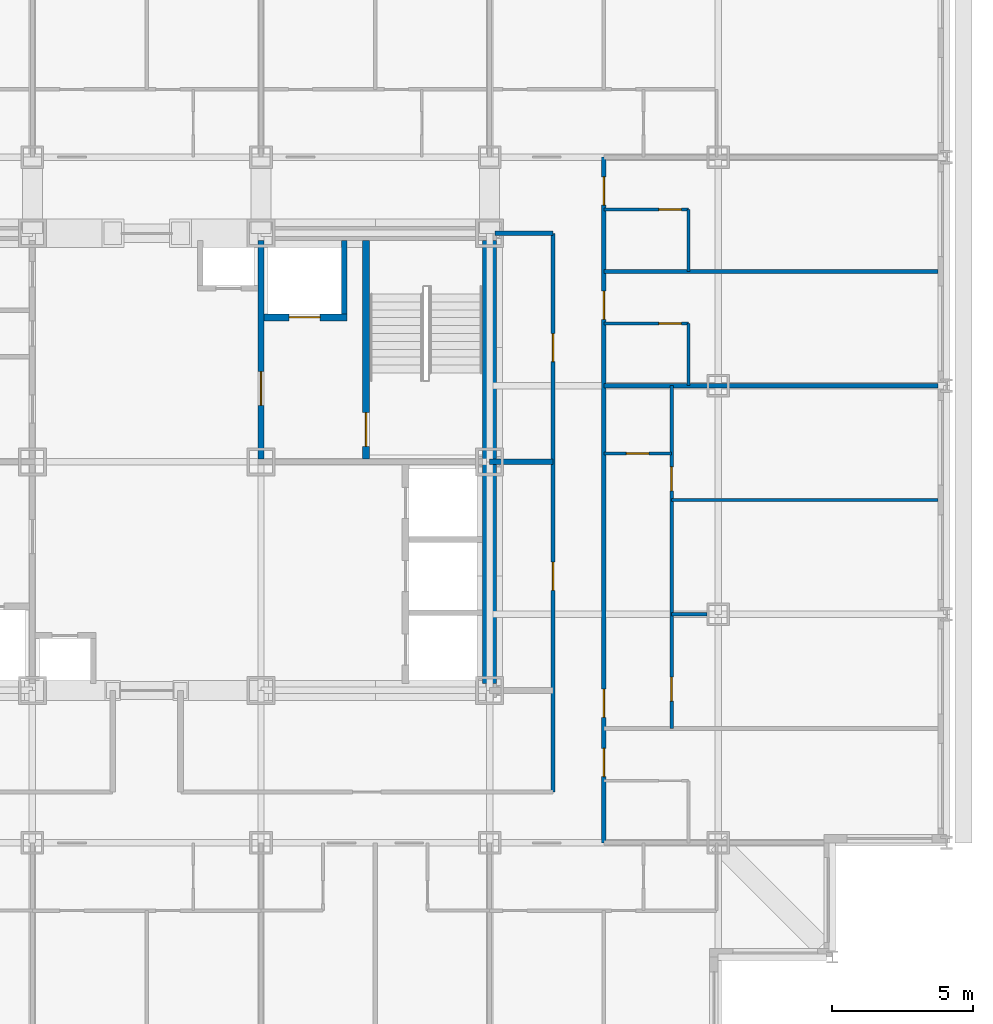
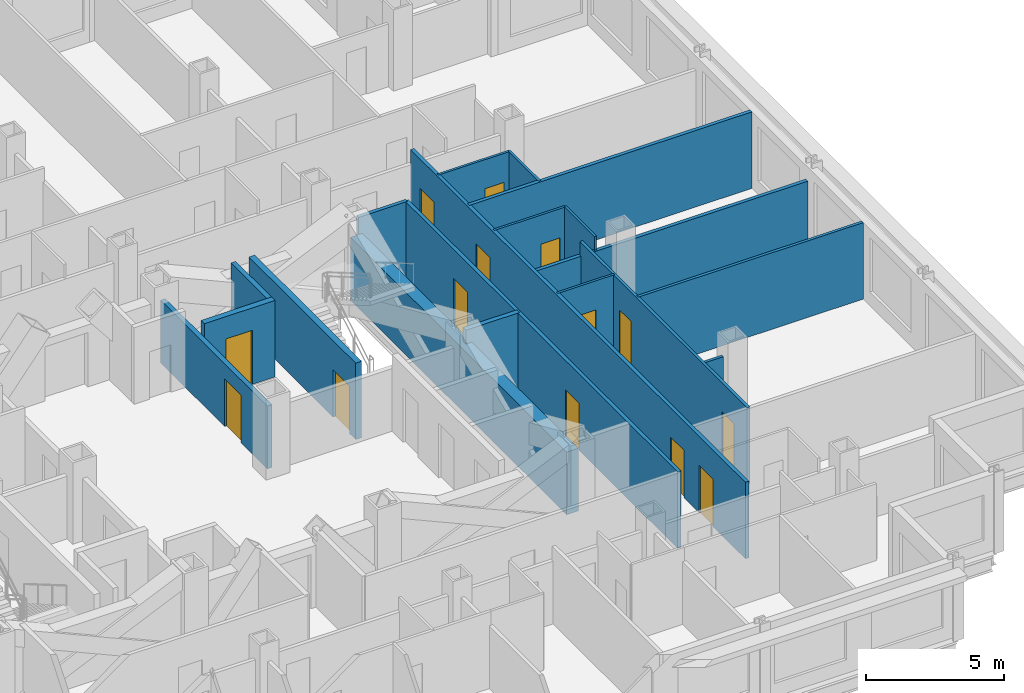
# One storey, part 8 of 12: 19 walls, 14 doors, 14 openings.
"""IFC4 building model written with IfcOpenShell, lengths in metres."""

from ifc_helpers import new_model, si_unit, direction, frame, frame_2d, origin, place, context, subcontext, project, spatial, rectangle, extrude, material, layer, layer_set, type_object, element, fill, save


model = new_model("IFC4")

# Units and contexts
model_context = context("Model", 3, precision=1e-05, world=origin(), true_north=direction((0.0, 1.0)))
body_context = subcontext(model_context, "Body", "Model", "MODEL_VIEW")
ifc_project = project(units=[si_unit("LENGTHUNIT", "METRE"), si_unit("AREAUNIT", "SQUARE_METRE"), si_unit("VOLUMEUNIT", "CUBIC_METRE"), si_unit("PLANEANGLEUNIT", "RADIAN"), si_unit("MASSUNIT", "GRAM", prefix="KILO")], contexts=[model_context])

# Site, building, storey
site_placement = place(None, origin())
site = spatial("IfcSite", under=ifc_project, at=site_placement, CompositionType="ELEMENT")
building_placement = place(site_placement, origin())
building = spatial("IfcBuilding", under=site, at=building_placement, Name="Kopane Lantern Tower", CompositionType="ELEMENT")
storey_placement = place(building_placement, frame((0.0, 0.0, 177.60009765625)))
storey = spatial("IfcBuildingStorey", under=building, at=storey_placement, Name="L45", CompositionType="ELEMENT", Elevation=177.60009765625)

# Wall, openings, doors
ifc_material_1 = material(Name="Gypsum board on steel studs", Category="steel")
ifc_layer_1 = layer(ifc_material_1, 0.1201171875)
ifc_layer_set_1 = layer_set([ifc_layer_1], Name="APARTMENT INTERNAL WALL 120")
wall_type_1 = type_object("IfcWallType", Name="APARTMENT INTERNAL WALL 120", PredefinedType="PARTITIONING", material=ifc_layer_set_1)
wall_1_placement = place(storey_placement, frame((46.949951171875, 22.949951171875, 0.0), z_axis=(0.0, 0.0, 1.0), x_axis=(0.0, 1.0, 0.0)))
wall_1 = element("IfcWall", 1, at=wall_1_placement, inside=storey, type_object=wall_type_1, Name="Apartment Internal Wall 120 L45", PredefinedType="PARTITIONING", context=body_context, shape_type="SweptSolid", body=[
    extrude(rectangle(XDim=12.150146484375, YDim=0.1201171875, at=frame_2d((6.0751953125, 0.0))), origin(), (0.0, 0.0, 1.0), 3.389892578125),
])
opening_1_placement = place(wall_1_placement, frame((0.97509765625, 0.0, 0.0)))
opening_1 = element("IfcOpeningElement", 2, at=opening_1_placement, cuts=wall_1, Name="Opening L45-048", PredefinedType="OPENING", context=body_context, shape_type="SweptSolid", body=[
    extrude(rectangle(XDim=0.85009765625, YDim=2.10009765625, at=frame_2d((0.425048828125, 1.050048828125))), frame((0.0, 0.070068359375, 0.0), z_axis=(0.0, -1.0, 0.0), x_axis=(1.0, 0.0, 0.0)), (0.0, 0.0, 1.0), 0.14013671875),
])
opening_2_placement = place(wall_1_placement, frame((8.425048828125, 0.0, 0.0)))
opening_2 = element("IfcOpeningElement", 3, at=opening_2_placement, cuts=wall_1, Name="Opening L45-049", PredefinedType="OPENING", context=body_context, shape_type="SweptSolid", body=[
    extrude(rectangle(XDim=0.85009765625, YDim=2.10009765625, at=frame_2d((0.425048828125, 1.050048828125))), frame((0.0, 0.070068359375, 0.0), z_axis=(0.0, -1.0, 0.0), x_axis=(1.0, 0.0, 0.0)), (0.0, 0.0, 1.0), 0.14013671875),
])
ifc_material_2 = material(Name="Timber door set", Category="wood")
door_type_1 = type_object("IfcDoorType", Name="DOOR D4 850x2100", OperationType="SINGLE_SWING_LEFT", PredefinedType="DOOR", material=ifc_material_2)
door_1_placement = place(opening_1_placement, origin())
door_1 = element("IfcDoor", 4, at=door_1_placement, inside=storey, type_object=door_type_1, Name="Door L45-048", OperationType="SINGLE_SWING_LEFT", OverallHeight=2.10009765625, OverallWidth=0.85009765625, PredefinedType="DOOR", context=body_context, shape_type="SweptSolid", body=[
    extrude(rectangle(XDim=0.85009765625, YDim=2.10009765625, at=frame_2d((0.425048828125, 1.050048828125))), frame((0.0, 0.02490234375, 0.0), z_axis=(0.0, -1.0, 0.0), x_axis=(1.0, 0.0, 0.0)), (0.0, 0.0, 1.0), 0.050048828125),
])
fill(opening_1, door_1)
door_2_placement = place(opening_2_placement, origin())
door_2 = element("IfcDoor", 5, at=door_2_placement, inside=storey, type_object=door_type_1, Name="Door L45-049", OperationType="SINGLE_SWING_RIGHT", OverallHeight=2.10009765625, OverallWidth=0.85009765625, PredefinedType="DOOR", context=body_context, shape_type="SweptSolid", body=[
    extrude(rectangle(XDim=0.85009765625, YDim=2.10009765625, at=frame_2d((0.425048828125, 1.050048828125))), frame((0.0, 0.02490234375, 0.0), z_axis=(0.0, -1.0, 0.0), x_axis=(1.0, 0.0, 0.0)), (0.0, 0.0, 1.0), 0.050048828125),
])
fill(opening_2, door_2)

# Walls
wall_2_placement = place(storey_placement, frame((46.949951171875, 31.050048828125, 0.0), z_axis=(0.0, 0.0, 1.0), x_axis=(1.0, 0.0, 0.0)))
element("IfcWall", 6, at=wall_2_placement, inside=storey, type_object=wall_type_1, Name="Apartment Internal Wall 120 L45", PredefinedType="PARTITIONING", context=body_context, shape_type="SweptSolid", body=[
    extrude(rectangle(XDim=9.449951171875, YDim=0.1201171875, at=frame_2d((4.72509765625, 0.0))), origin(), (0.0, 0.0, 1.0), 3.389892578125),
])
wall_3_placement = place(storey_placement, frame((46.949951171875, 27.0, 0.0), z_axis=(0.0, 0.0, 1.0), x_axis=(1.0, 0.0, 0.0)))
element("IfcWall", 7, at=wall_3_placement, inside=storey, type_object=wall_type_1, Name="Apartment Internal Wall 120 L45", PredefinedType="PARTITIONING", context=body_context, shape_type="SweptSolid", body=[
    extrude(rectangle(XDim=1.25, YDim=0.1201171875, at=frame_2d((0.625, 0.0))), origin(), (0.0, 0.0, 1.0), 2.777587890625),
])

# Wall, opening, door
ifc_material_3 = material(Name="Moisture-resistant board on steel studs", Category="steel")
ifc_layer_2 = layer(ifc_material_3, 0.10009765625)
ifc_layer_set_2 = layer_set([ifc_layer_2], Name="BATHROOM WALL 100")
wall_type_2 = type_object("IfcWallType", Name="BATHROOM WALL 100", PredefinedType="PARTITIONING", material=ifc_layer_set_2)
wall_4_placement = place(storey_placement, frame((44.550048828125, 32.699951171875, 0.0), z_axis=(0.0, 0.0, 1.0), x_axis=(1.0, 0.0, 0.0)))
wall_4 = element("IfcWall", 8, at=wall_4_placement, inside=storey, type_object=wall_type_2, Name="Bathroom Wall 100 L45", PredefinedType="PARTITIONING", context=body_context, shape_type="SweptSolid", body=[
    extrude(rectangle(XDim=2.39990234375, YDim=0.10009765625, at=frame_2d((1.199951171875, 0.0))), origin(), (0.0, 0.0, 1.0), 3.389892578125),
])
opening_3_placement = place(wall_4_placement, frame((0.800048828125, 0.0, 0.0)))
opening_3 = element("IfcOpeningElement", 9, at=opening_3_placement, cuts=wall_4, Name="Opening L45-046", PredefinedType="OPENING", context=body_context, shape_type="SweptSolid", body=[
    extrude(rectangle(XDim=0.800048828125, YDim=2.10009765625, at=frame_2d((0.39990234375, 1.050048828125))), frame((0.0, 0.06005859375, 0.0), z_axis=(0.0, -1.0, 0.0), x_axis=(1.0, 0.0, 0.0)), (0.0, 0.0, 1.0), 0.1201171875),
])
ifc_material_4 = material(Name="Timber door set", Category="wood")
door_type_2 = type_object("IfcDoorType", Name="DOOR D2 800x2100", OperationType="SINGLE_SWING_LEFT", PredefinedType="DOOR", material=ifc_material_4)
door_3_placement = place(opening_3_placement, origin())
door_3 = element("IfcDoor", 10, at=door_3_placement, inside=storey, type_object=door_type_2, Name="Door L45-046", OperationType="SINGLE_SWING_LEFT", OverallHeight=2.10009765625, OverallWidth=0.800048828125, PredefinedType="DOOR", context=body_context, shape_type="SweptSolid", body=[
    extrude(rectangle(XDim=0.800048828125, YDim=2.10009765625, at=frame_2d((0.39990234375, 1.050048828125))), frame((0.0, 0.02490234375, 0.0), z_axis=(0.0, -1.0, 0.0), x_axis=(1.0, 0.0, 0.0)), (0.0, 0.0, 1.0), 0.050048828125),
])
fill(opening_3, door_3)

# Wall
wall_5_placement = place(storey_placement, frame((47.550048828125, 35.10009765625, 0.0), z_axis=(0.0, 0.0, 1.0), x_axis=(0.0, 1.0, 0.0)))
element("IfcWall", 11, at=wall_5_placement, inside=storey, type_object=wall_type_2, Name="Bathroom Wall 100 L45", PredefinedType="PARTITIONING", context=body_context, shape_type="SweptSolid", body=[
    extrude(rectangle(XDim=2.199951171875, YDim=0.10009765625, at=frame_2d((1.10009765625, 0.0))), origin(), (0.0, 0.0, 1.0), 3.389892578125),
])

# Wall, opening, door
wall_6_placement = place(storey_placement, frame((44.550048828125, 37.300048828125, 0.0), z_axis=(0.0, 0.0, 1.0), x_axis=(1.0, 0.0, 0.0)))
wall_6 = element("IfcWall", 12, at=wall_6_placement, inside=storey, type_object=wall_type_2, Name="Bathroom Wall 100 L45", PredefinedType="PARTITIONING", context=body_context, shape_type="SweptSolid", body=[
    extrude(rectangle(XDim=3.0, YDim=0.10009765625, at=frame_2d((1.5, 0.0))), origin(), (0.0, 0.0, 1.0), 3.389892578125),
])
opening_4_placement = place(wall_6_placement, frame((1.949951171875, 0.0, 0.0)))
opening_4 = element("IfcOpeningElement", 13, at=opening_4_placement, cuts=wall_6, Name="Opening L45-050", PredefinedType="OPENING", context=body_context, shape_type="SweptSolid", body=[
    extrude(rectangle(XDim=0.800048828125, YDim=2.10009765625, at=frame_2d((0.39990234375, 1.050048828125))), frame((0.0, 0.06005859375, 0.0), z_axis=(0.0, -1.0, 0.0), x_axis=(1.0, 0.0, 0.0)), (0.0, 0.0, 1.0), 0.1201171875),
])
door_4_placement = place(opening_4_placement, origin())
door_4 = element("IfcDoor", 14, at=door_4_placement, inside=storey, type_object=door_type_2, Name="Door L45-050", OperationType="SINGLE_SWING_LEFT", OverallHeight=2.10009765625, OverallWidth=0.800048828125, PredefinedType="DOOR", context=body_context, shape_type="SweptSolid", body=[
    extrude(rectangle(XDim=0.800048828125, YDim=2.10009765625, at=frame_2d((0.39990234375, 1.050048828125))), frame((0.0, 0.02490234375, 0.0), z_axis=(0.0, -1.0, 0.0), x_axis=(1.0, 0.0, 0.0)), (0.0, 0.0, 1.0), 0.050048828125),
])
fill(opening_4, door_4)

# Wall
wall_7_placement = place(storey_placement, frame((47.550048828125, 39.14990234375, 0.0), z_axis=(0.0, 0.0, 1.0), x_axis=(0.0, 1.0, 0.0)))
element("IfcWall", 15, at=wall_7_placement, inside=storey, type_object=wall_type_2, Name="Bathroom Wall 100 L45", PredefinedType="PARTITIONING", context=body_context, shape_type="SweptSolid", body=[
    extrude(rectangle(XDim=2.2001953125, YDim=0.10009765625, at=frame_2d((1.10009765625, 0.0))), origin(), (0.0, 0.0, 1.0), 3.389892578125),
])

# Wall, opening, door
wall_8_placement = place(storey_placement, frame((44.550048828125, 41.35009765625, 0.0), z_axis=(0.0, 0.0, 1.0), x_axis=(1.0, 0.0, 0.0)))
wall_8 = element("IfcWall", 16, at=wall_8_placement, inside=storey, type_object=wall_type_2, Name="Bathroom Wall 100 L45", PredefinedType="PARTITIONING", context=body_context, shape_type="SweptSolid", body=[
    extrude(rectangle(XDim=3.0, YDim=0.10009765625, at=frame_2d((1.5, 0.0))), origin(), (0.0, 0.0, 1.0), 3.389892578125),
])
opening_5_placement = place(wall_8_placement, frame((1.949951171875, 0.0, 0.0)))
opening_5 = element("IfcOpeningElement", 17, at=opening_5_placement, cuts=wall_8, Name="Opening L45-052", PredefinedType="OPENING", context=body_context, shape_type="SweptSolid", body=[
    extrude(rectangle(XDim=0.800048828125, YDim=2.10009765625, at=frame_2d((0.39990234375, 1.050048828125))), frame((0.0, 0.06005859375, 0.0), z_axis=(0.0, -1.0, 0.0), x_axis=(1.0, 0.0, 0.0)), (0.0, 0.0, 1.0), 0.1201171875),
])
door_5_placement = place(opening_5_placement, origin())
door_5 = element("IfcDoor", 18, at=door_5_placement, inside=storey, type_object=door_type_2, Name="Door L45-052", OperationType="SINGLE_SWING_LEFT", OverallHeight=2.10009765625, OverallWidth=0.800048828125, PredefinedType="DOOR", context=body_context, shape_type="SweptSolid", body=[
    extrude(rectangle(XDim=0.800048828125, YDim=2.10009765625, at=frame_2d((0.39990234375, 1.050048828125))), frame((0.0, 0.02490234375, 0.0), z_axis=(0.0, -1.0, 0.0), x_axis=(1.0, 0.0, 0.0)), (0.0, 0.0, 1.0), 0.050048828125),
])
fill(opening_5, door_5)

# Wall
ifc_material_5 = material(Name="Gypsum shaft wall EI 120", Category="gypsum")
ifc_layer_3 = layer(ifc_material_5, 0.5)
ifc_layer_set_3 = layer_set([ifc_layer_3], Name="CORE PERIMETER WALL 500 EI 120")
wall_type_3 = type_object("IfcWallType", Name="CORE PERIMETER WALL 500 EI 120", PredefinedType="SOLIDWALL", material=ifc_layer_set_3)
wall_9_placement = place(storey_placement, frame((40.5, 24.550048828125, 0.0), z_axis=(0.0, 0.0, 1.0), x_axis=(0.0, 1.0, 0.0)))
element("IfcWall", 19, at=wall_9_placement, inside=storey, type_object=wall_type_3, Name="Core shaft wall L45 PE", PredefinedType="SOLIDWALL", context=body_context, shape_type="SweptSolid", body=[
    extrude(rectangle(XDim=15.699951171875, YDim=0.5, at=frame_2d((7.85009765625, 0.0))), origin(), (0.0, 0.0, 1.0), 2.777587890625),
])

# Wall, opening, door
ifc_material_6 = material(Name="Gypsum shaft wall EI 120", Category="gypsum")
ifc_layer_4 = layer(ifc_material_6, 0.25)
ifc_layer_set_4 = layer_set([ifc_layer_4], Name="CORE SHAFT WALL 250 EI 120")
wall_type_4 = type_object("IfcWallType", Name="CORE SHAFT WALL 250 EI 120", PredefinedType="SOLIDWALL", material=ifc_layer_set_4)
wall_10_placement = place(storey_placement, frame((36.125, 32.5, 0.0), z_axis=(0.0, 0.0, 1.0), x_axis=(0.0, 1.0, 0.0)))
wall_10 = element("IfcWall", 20, at=wall_10_placement, inside=storey, type_object=wall_type_4, Name="Core shaft wall L45 XST2", PredefinedType="SOLIDWALL", context=body_context, shape_type="SweptSolid", body=[
    extrude(rectangle(XDim=7.75, YDim=0.25, at=frame_2d((3.875, 0.0))), origin(), (0.0, 0.0, 1.0), 3.389892578125),
])
opening_6_placement = place(wall_10_placement, frame((0.449951171875, 0.0, 0.0)))
opening_6 = element("IfcOpeningElement", 21, at=opening_6_placement, cuts=wall_10, Name="Opening 45.SD2", PredefinedType="OPENING", context=body_context, shape_type="SweptSolid", body=[
    extrude(rectangle(XDim=1.199951171875, YDim=2.10009765625, at=frame_2d((0.60009765625, 1.050048828125))), frame((0.0, 0.135009765625, 0.0), z_axis=(0.0, -1.0, 0.0), x_axis=(1.0, 0.0, 0.0)), (0.0, 0.0, 1.0), 0.27001953125),
])
ifc_material_7 = material(Name="Steel door set", Category="steel")
door_type_3 = type_object("IfcDoorType", Name="STAIR DOOR 1200x2100 FD60S", OperationType="SINGLE_SWING_LEFT", PredefinedType="DOOR", material=ifc_material_7)
door_6_placement = place(opening_6_placement, origin())
door_6 = element("IfcDoor", 22, at=door_6_placement, inside=storey, type_object=door_type_3, Name="Stair door ST2 L45", OperationType="SINGLE_SWING_RIGHT", OverallHeight=2.10009765625, OverallWidth=1.199951171875, PredefinedType="DOOR", context=body_context, shape_type="SweptSolid", body=[
    extrude(rectangle(XDim=1.199951171875, YDim=2.10009765625, at=frame_2d((0.60009765625, 1.050048828125))), frame((0.0, 0.02490234375, 0.0), z_axis=(0.0, -1.0, 0.0), x_axis=(1.0, 0.0, 0.0)), (0.0, 0.0, 1.0), 0.050048828125),
])
fill(opening_6, door_6)

wall_11_placement = place(storey_placement, frame((32.5, 37.52490234375, 0.0), z_axis=(0.0, 0.0, 1.0), x_axis=(1.0, 0.0, 0.0)))
wall_11 = element("IfcWall", 23, at=wall_11_placement, inside=storey, type_object=wall_type_4, Name="Core shaft wall L45 YLF2", PredefinedType="SOLIDWALL", context=body_context, shape_type="SweptSolid", body=[
    extrude(rectangle(XDim=2.949951171875, YDim=0.25, at=frame_2d((1.47509765625, 0.0))), origin(), (0.0, 0.0, 1.0), 3.389892578125),
])
opening_7_placement = place(wall_11_placement, frame((0.89990234375, 0.0, 0.0)))
opening_7 = element("IfcOpeningElement", 24, at=opening_7_placement, cuts=wall_11, Name="Opening 45.LD-LF2", PredefinedType="OPENING", context=body_context, shape_type="SweptSolid", body=[
    extrude(rectangle(XDim=1.10009765625, YDim=2.39990234375, at=frame_2d((0.550048828125, 1.199951171875))), frame((0.0, 0.135009765625, 0.0), z_axis=(0.0, -1.0, 0.0), x_axis=(1.0, 0.0, 0.0)), (0.0, 0.0, 1.0), 0.27001953125),
])
ifc_material_8 = material(Name="Steel door set", Category="steel")
door_type_4 = type_object("IfcDoorType", Name="LIFT LANDING DOOR 1100x2400 FD60", OperationType="DOUBLE_DOOR_SLIDING", PredefinedType="DOOR", material=ifc_material_8)
door_7_placement = place(opening_7_placement, origin())
door_7 = element("IfcDoor", 25, at=door_7_placement, inside=storey, type_object=door_type_4, Name="Landing door LF2 L45", OperationType="DOUBLE_DOOR_SLIDING", OverallHeight=2.39990234375, OverallWidth=1.10009765625, PredefinedType="DOOR", context=body_context, shape_type="SweptSolid", body=[
    extrude(rectangle(XDim=1.10009765625, YDim=2.39990234375, at=frame_2d((0.550048828125, 1.199951171875))), frame((0.0, 0.02490234375, 0.0), z_axis=(0.0, -1.0, 0.0), x_axis=(1.0, 0.0, 0.0)), (0.0, 0.0, 1.0), 0.050048828125),
])
fill(opening_7, door_7)

# Wall, openings, doors
ifc_material_9 = material(Name="Gypsum board on steel studs", Category="steel")
ifc_layer_5 = layer(ifc_material_9, 0.14990234375)
ifc_layer_set_5 = layer_set([ifc_layer_5], Name="CORRIDOR WALL 150 EI 60")
wall_type_5 = type_object("IfcWallType", Name="CORRIDOR WALL 150 EI 60", PredefinedType="PARTITIONING", material=ifc_layer_set_5)
wall_12_placement = place(storey_placement, frame((44.550048828125, 18.89990234375, 0.0), z_axis=(0.0, 0.0, 1.0), x_axis=(0.0, 1.0, 0.0)))
wall_12 = element("IfcWall", 26, at=wall_12_placement, inside=storey, type_object=wall_type_5, Name="Corridor Wall 150 Ei 60 L45", PredefinedType="PARTITIONING", context=body_context, shape_type="SweptSolid", body=[
    extrude(rectangle(XDim=24.300048828125, YDim=0.14990234375, at=frame_2d((12.14990234375, 0.0))), origin(), (0.0, 0.0, 1.0), 3.389892578125),
])
opening_8_placement = place(wall_12_placement, frame((2.35009765625, 0.0, 0.0)))
opening_8 = element("IfcOpeningElement", 27, at=opening_8_placement, cuts=wall_12, Name="Opening L45-045", PredefinedType="OPENING", context=body_context, shape_type="SweptSolid", body=[
    extrude(rectangle(XDim=1.0, YDim=2.10009765625, at=frame_2d((0.5, 1.050048828125))), frame((0.0, 0.0849609375, 0.0), z_axis=(0.0, -1.0, 0.0), x_axis=(1.0, 0.0, 0.0)), (0.0, 0.0, 1.0), 0.169921875),
])
opening_9_placement = place(wall_12_placement, frame((4.449951171875, 0.0, 0.0)))
opening_9 = element("IfcOpeningElement", 28, at=opening_9_placement, cuts=wall_12, Name="Opening L45-047", PredefinedType="OPENING", context=body_context, shape_type="SweptSolid", body=[
    extrude(rectangle(XDim=1.0, YDim=2.10009765625, at=frame_2d((0.5, 1.050048828125))), frame((0.0, 0.0849609375, 0.0), z_axis=(0.0, -1.0, 0.0), x_axis=(1.0, 0.0, 0.0)), (0.0, 0.0, 1.0), 0.169921875),
])
opening_10_placement = place(wall_12_placement, frame((18.550048828125, 0.0, 0.0)))
opening_10 = element("IfcOpeningElement", 29, at=opening_10_placement, cuts=wall_12, Name="Opening L45-051", PredefinedType="OPENING", context=body_context, shape_type="SweptSolid", body=[
    extrude(rectangle(XDim=1.0, YDim=2.10009765625, at=frame_2d((0.5, 1.050048828125))), frame((0.0, 0.0849609375, 0.0), z_axis=(0.0, -1.0, 0.0), x_axis=(1.0, 0.0, 0.0)), (0.0, 0.0, 1.0), 0.169921875),
])
opening_11_placement = place(wall_12_placement, frame((22.60009765625, 0.0, 0.0)))
opening_11 = element("IfcOpeningElement", 30, at=opening_11_placement, cuts=wall_12, Name="Opening L45-053", PredefinedType="OPENING", context=body_context, shape_type="SweptSolid", body=[
    extrude(rectangle(XDim=1.0, YDim=2.10009765625, at=frame_2d((0.5, 1.050048828125))), frame((0.0, 0.0849609375, 0.0), z_axis=(0.0, -1.0, 0.0), x_axis=(1.0, 0.0, 0.0)), (0.0, 0.0, 1.0), 0.169921875),
])
ifc_material_10 = material(Name="Steel door set", Category="steel")
door_type_5 = type_object("IfcDoorType", Name="DOOR D3 1000x2100 FD30S", OperationType="SINGLE_SWING_LEFT", PredefinedType="DOOR", material=ifc_material_10)
door_8_placement = place(opening_8_placement, origin())
door_8 = element("IfcDoor", 31, at=door_8_placement, inside=storey, type_object=door_type_5, Name="Door L45-045", OperationType="SINGLE_SWING_RIGHT", OverallHeight=2.10009765625, OverallWidth=1.0, PredefinedType="DOOR", context=body_context, shape_type="SweptSolid", body=[
    extrude(rectangle(XDim=1.0, YDim=2.10009765625, at=frame_2d((0.5, 1.050048828125))), frame((0.0, 0.02490234375, 0.0), z_axis=(0.0, -1.0, 0.0), x_axis=(1.0, 0.0, 0.0)), (0.0, 0.0, 1.0), 0.050048828125),
])
fill(opening_8, door_8)
door_9_placement = place(opening_9_placement, origin())
door_9 = element("IfcDoor", 32, at=door_9_placement, inside=storey, type_object=door_type_5, Name="Door L45-047", OperationType="SINGLE_SWING_RIGHT", OverallHeight=2.10009765625, OverallWidth=1.0, PredefinedType="DOOR", context=body_context, shape_type="SweptSolid", body=[
    extrude(rectangle(XDim=1.0, YDim=2.10009765625, at=frame_2d((0.5, 1.050048828125))), frame((0.0, 0.02490234375, 0.0), z_axis=(0.0, -1.0, 0.0), x_axis=(1.0, 0.0, 0.0)), (0.0, 0.0, 1.0), 0.050048828125),
])
fill(opening_9, door_9)
door_10_placement = place(opening_10_placement, origin())
door_10 = element("IfcDoor", 33, at=door_10_placement, inside=storey, type_object=door_type_5, Name="Door L45-051", OperationType="SINGLE_SWING_RIGHT", OverallHeight=2.10009765625, OverallWidth=1.0, PredefinedType="DOOR", context=body_context, shape_type="SweptSolid", body=[
    extrude(rectangle(XDim=1.0, YDim=2.10009765625, at=frame_2d((0.5, 1.050048828125))), frame((0.0, 0.02490234375, 0.0), z_axis=(0.0, -1.0, 0.0), x_axis=(1.0, 0.0, 0.0)), (0.0, 0.0, 1.0), 0.050048828125),
])
fill(opening_10, door_10)
door_11_placement = place(opening_11_placement, origin())
door_11 = element("IfcDoor", 34, at=door_11_placement, inside=storey, type_object=door_type_5, Name="Door L45-053", OperationType="SINGLE_SWING_RIGHT", OverallHeight=2.10009765625, OverallWidth=1.0, PredefinedType="DOOR", context=body_context, shape_type="SweptSolid", body=[
    extrude(rectangle(XDim=1.0, YDim=2.10009765625, at=frame_2d((0.5, 1.050048828125))), frame((0.0, 0.02490234375, 0.0), z_axis=(0.0, -1.0, 0.0), x_axis=(1.0, 0.0, 0.0)), (0.0, 0.0, 1.0), 0.050048828125),
])
fill(opening_11, door_11)

wall_13_placement = place(storey_placement, frame((42.75, 20.699951171875, 0.0), z_axis=(0.0, 0.0, 1.0), x_axis=(0.0, 1.0, 0.0)))
wall_13 = element("IfcWall", 35, at=wall_13_placement, inside=storey, type_object=wall_type_5, Name="Corridor Wall 150 Ei 60 L45", PredefinedType="PARTITIONING", context=body_context, shape_type="SweptSolid", body=[
    extrude(rectangle(XDim=19.800048828125, YDim=0.14990234375, at=frame_2d((9.89990234375, 0.0))), origin(), (0.0, 0.0, 1.0), 3.389892578125),
])
opening_12_placement = place(wall_13_placement, frame((7.14990234375, 0.0, 0.0)))
opening_12 = element("IfcOpeningElement", 36, at=opening_12_placement, cuts=wall_13, Name="Opening L45-003", PredefinedType="OPENING", context=body_context, shape_type="SweptSolid", body=[
    extrude(rectangle(XDim=1.0, YDim=2.10009765625, at=frame_2d((0.5, 1.050048828125))), frame((0.0, 0.0849609375, 0.0), z_axis=(0.0, -1.0, 0.0), x_axis=(1.0, 0.0, 0.0)), (0.0, 0.0, 1.0), 0.169921875),
])
opening_13_placement = place(wall_13_placement, frame((15.25, 0.0, 0.0)))
opening_13 = element("IfcOpeningElement", 37, at=opening_13_placement, cuts=wall_13, Name="Opening L45-004", PredefinedType="OPENING", context=body_context, shape_type="SweptSolid", body=[
    extrude(rectangle(XDim=1.0, YDim=2.10009765625, at=frame_2d((0.5, 1.050048828125))), frame((0.0, 0.0849609375, 0.0), z_axis=(0.0, -1.0, 0.0), x_axis=(1.0, 0.0, 0.0)), (0.0, 0.0, 1.0), 0.169921875),
])
ifc_material_11 = material(Name="Steel door set", Category="steel")
door_type_6 = type_object("IfcDoorType", Name="DOOR D5 1000x2100 FD60", OperationType="SINGLE_SWING_LEFT", PredefinedType="DOOR", material=ifc_material_11)
door_12_placement = place(opening_12_placement, origin())
door_12 = element("IfcDoor", 38, at=door_12_placement, inside=storey, type_object=door_type_6, Name="Door L45-003", OperationType="SINGLE_SWING_LEFT", OverallHeight=2.10009765625, OverallWidth=1.0, PredefinedType="DOOR", context=body_context, shape_type="SweptSolid", body=[
    extrude(rectangle(XDim=1.0, YDim=2.10009765625, at=frame_2d((0.5, 1.050048828125))), frame((0.0, 0.02490234375, 0.0), z_axis=(0.0, -1.0, 0.0), x_axis=(1.0, 0.0, 0.0)), (0.0, 0.0, 1.0), 0.050048828125),
])
fill(opening_12, door_12)
door_13_placement = place(opening_13_placement, origin())
door_13 = element("IfcDoor", 39, at=door_13_placement, inside=storey, type_object=door_type_6, Name="Door L45-004", OperationType="SINGLE_SWING_RIGHT", OverallHeight=2.10009765625, OverallWidth=1.0, PredefinedType="DOOR", context=body_context, shape_type="SweptSolid", body=[
    extrude(rectangle(XDim=1.0, YDim=2.10009765625, at=frame_2d((0.5, 1.050048828125))), frame((0.0, 0.02490234375, 0.0), z_axis=(0.0, -1.0, 0.0), x_axis=(1.0, 0.0, 0.0)), (0.0, 0.0, 1.0), 0.050048828125),
])
fill(opening_13, door_13)

# Walls
wall_14_placement = place(storey_placement, frame((42.75, 40.5, 0.0), z_axis=(0.0, 0.0, 1.0), x_axis=(-1.0, 0.0, 0.0)))
element("IfcWall", 40, at=wall_14_placement, inside=storey, type_object=wall_type_5, Name="Corridor Wall 150 Ei 60 L45", PredefinedType="PARTITIONING", context=body_context, shape_type="SweptSolid", body=[
    extrude(rectangle(XDim=2.050048828125, YDim=0.14990234375, at=frame_2d((1.02490234375, 0.0))), origin(), (0.0, 0.0, 1.0), 3.389892578125),
])
ifc_material_12 = material(Name="Gypsum board on steel studs", Category="steel")
ifc_layer_6 = layer(ifc_material_12, 0.14990234375)
ifc_layer_set_6 = layer_set([ifc_layer_6], Name="DEMISING WALL 150 EI 60")
wall_type_6 = type_object("IfcWallType", Name="DEMISING WALL 150 EI 60", PredefinedType="PARTITIONING", material=ifc_layer_set_6)
wall_15_placement = place(storey_placement, frame((44.550048828125, 35.10009765625, 0.0), z_axis=(0.0, 0.0, 1.0), x_axis=(1.0, 0.0, 0.0)))
element("IfcWall", 41, at=wall_15_placement, inside=storey, type_object=wall_type_6, Name="Demising Wall 150 Ei 60 L45", PredefinedType="PARTITIONING", context=body_context, shape_type="SweptSolid", body=[
    extrude(rectangle(XDim=11.849853515625, YDim=0.14990234375, at=frame_2d((5.9248046875, 0.0))), origin(), (0.0, 0.0, 1.0), 2.777587890625),
])
wall_16_placement = place(storey_placement, frame((44.550048828125, 39.14990234375, 0.0), z_axis=(0.0, 0.0, 1.0), x_axis=(1.0, 0.0, 0.0)))
element("IfcWall", 42, at=wall_16_placement, inside=storey, type_object=wall_type_6, Name="Demising Wall 150 Ei 60 L45", PredefinedType="PARTITIONING", context=body_context, shape_type="SweptSolid", body=[
    extrude(rectangle(XDim=11.849853515625, YDim=0.14990234375, at=frame_2d((5.9248046875, 0.0))), origin(), (0.0, 0.0, 1.0), 3.389892578125),
])
ifc_material_13 = material(Name="Concrete masonry", Category="masonry")
ifc_layer_7 = layer(ifc_material_13, 0.199951171875)
ifc_layer_set_7 = layer_set([ifc_layer_7], Name="PLANT ROOM WALL 200 EI 120")
wall_type_7 = type_object("IfcWallType", Name="PLANT ROOM WALL 200 EI 120", PredefinedType="SOLIDWALL", material=ifc_layer_set_7)
wall_17_placement = place(storey_placement, frame((40.5, 32.39990234375, 0.0), z_axis=(0.0, 0.0, 1.0), x_axis=(1.0, 0.0, 0.0)))
element("IfcWall", 43, at=wall_17_placement, inside=storey, type_object=wall_type_7, Name="Plant Room Wall 200 Ei 120 L45", PredefinedType="SOLIDWALL", context=body_context, shape_type="SweptSolid", body=[
    extrude(rectangle(XDim=2.25, YDim=0.199951171875, at=frame_2d((1.125, 0.0))), origin(), (0.0, 0.0, 1.0), 3.389892578125),
])

# Wall, opening, door
ifc_material_14 = material(Name="Gypsum shaft wall EI 120", Category="gypsum")
ifc_layer_8 = layer(ifc_material_14, 0.199951171875)
ifc_layer_set_8 = layer_set([ifc_layer_8], Name="SHAFT WALL 200 EI 120")
wall_type_8 = type_object("IfcWallType", Name="SHAFT WALL 200 EI 120", PredefinedType="SOLIDWALL", material=ifc_layer_set_8)
wall_18_placement = place(storey_placement, frame((32.39990234375, 32.5, 0.0), z_axis=(0.0, 0.0, 1.0), x_axis=(0.0, 1.0, 0.0)))
wall_18 = element("IfcWall", 44, at=wall_18_placement, inside=storey, type_object=wall_type_8, Name="Core shaft wall L45 X324", PredefinedType="SOLIDWALL", context=body_context, shape_type="SweptSolid", body=[
    extrude(rectangle(XDim=7.75, YDim=0.199951171875, at=frame_2d((3.875, 0.0))), origin(), (0.0, 0.0, 1.0), 2.777587890625),
])
opening_14_placement = place(wall_18_placement, frame((1.89990234375, 0.0, 0.0)))
opening_14 = element("IfcOpeningElement", 45, at=opening_14_placement, cuts=wall_18, Name="Opening 45.FL2", PredefinedType="OPENING", context=body_context, shape_type="SweptSolid", body=[
    extrude(rectangle(XDim=1.199951171875, YDim=2.10009765625, at=frame_2d((0.60009765625, 1.050048828125))), frame((0.0, 0.10986328125, 0.0), z_axis=(0.0, -1.0, 0.0), x_axis=(1.0, 0.0, 0.0)), (0.0, 0.0, 1.0), 0.219970703125),
])
ifc_material_15 = material(Name="Steel door set", Category="steel")
door_type_7 = type_object("IfcDoorType", Name="FIREFIGHTING LOBBY DOOR 1200x2100 FD60S", OperationType="SINGLE_SWING_RIGHT", PredefinedType="DOOR", material=ifc_material_15)
door_14_placement = place(opening_14_placement, origin())
door_14 = element("IfcDoor", 46, at=door_14_placement, inside=storey, type_object=door_type_7, Name="Firefighting lobby door FL2 L45", OperationType="SINGLE_SWING_LEFT", OverallHeight=2.10009765625, OverallWidth=1.199951171875, PredefinedType="DOOR", context=body_context, shape_type="SweptSolid", body=[
    extrude(rectangle(XDim=1.199951171875, YDim=2.10009765625, at=frame_2d((0.60009765625, 1.050048828125))), frame((0.0, 0.02490234375, 0.0), z_axis=(0.0, -1.0, 0.0), x_axis=(1.0, 0.0, 0.0)), (0.0, 0.0, 1.0), 0.050048828125),
])
fill(opening_14, door_14)

# Wall
wall_19_placement = place(storey_placement, frame((35.35009765625, 37.64990234375, 0.0), z_axis=(0.0, 0.0, 1.0), x_axis=(0.0, 1.0, 0.0)))
element("IfcWall", 47, at=wall_19_placement, inside=storey, type_object=wall_type_8, Name="Core shaft wall L45 XLF2", PredefinedType="SOLIDWALL", context=body_context, shape_type="SweptSolid", body=[
    extrude(rectangle(XDim=2.60009765625, YDim=0.199951171875, at=frame_2d((1.300048828125, 0.0))), origin(), (0.0, 0.0, 1.0), 3.389892578125),
])

save(model, "model.ifc")
